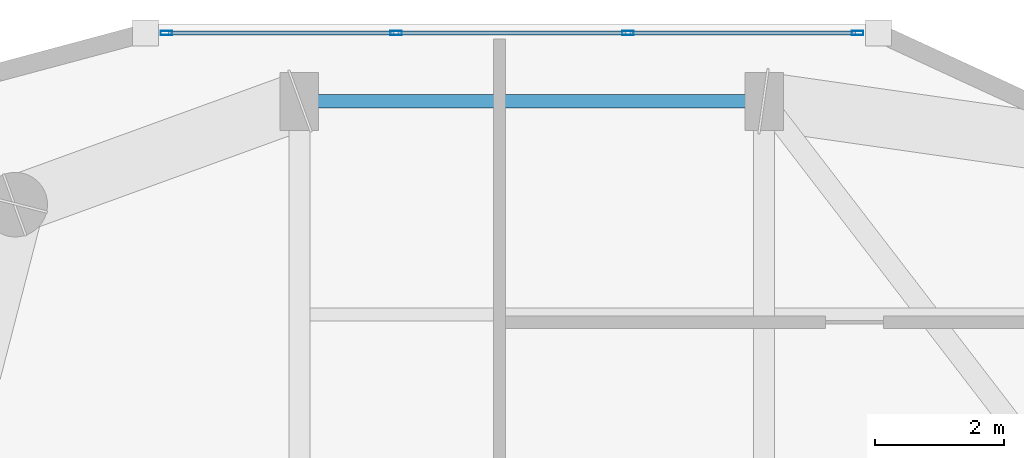
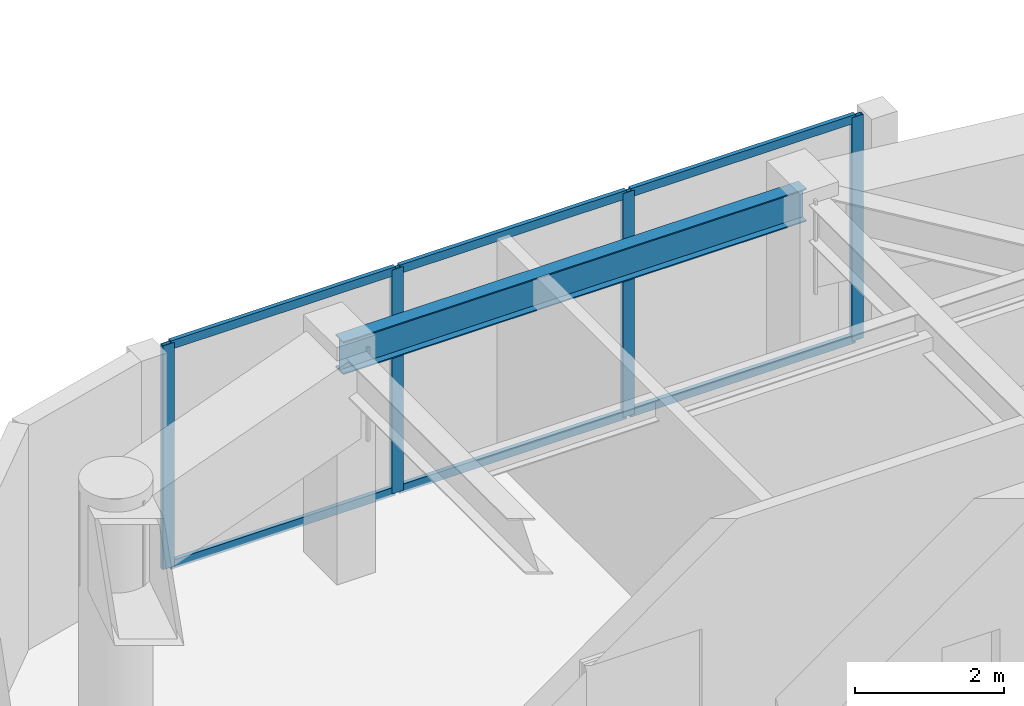
# One storey, part 6 of 16: 10 members, 1 beam, 1 element without a shape of its own.
"""IFC4 building model written with IfcOpenShell, lengths in metres."""

from ifc_helpers import new_model, si_unit, direction, frame, origin, origin_2d, place, context, subcontext, project, spatial, hollow_rectangle, i_section, extrude, material, layer, layer_set, material_profile, profile_set, type_object, element, aggregate, save


model = new_model("IFC4")

# Units and contexts
model_context = context("Model", 3, precision=1e-05, world=origin(), true_north=direction((0.0, 1.0)))
body_context = subcontext(model_context, "Body", "Model", "MODEL_VIEW")
ifc_project = project(units=[si_unit("LENGTHUNIT", "METRE"), si_unit("AREAUNIT", "SQUARE_METRE"), si_unit("VOLUMEUNIT", "CUBIC_METRE"), si_unit("PLANEANGLEUNIT", "RADIAN"), si_unit("MASSUNIT", "GRAM", prefix="KILO")], contexts=[model_context])

# Site, building, storey
site_placement = place(None, origin())
site = spatial("IfcSite", under=ifc_project, at=site_placement, CompositionType="ELEMENT")
building_placement = place(site_placement, origin())
building = spatial("IfcBuilding", under=site, at=building_placement, Name="Kiyonajd Concourse Tower", CompositionType="ELEMENT")
storey_placement = place(building_placement, frame((0.0, 0.0, 325.800048828125)))
storey = spatial("IfcBuildingStorey", under=building, at=storey_placement, Name="L82", CompositionType="ELEMENT", Elevation=325.800048828125)

# Beam
ifc_material_1 = material(Name="Steel ASTM A992 Grade 50", Category="steel")
ifc_material_profile_1 = material_profile(ifc_material_1, i_section(OverallWidth=0.2109375, OverallDepth=0.5390625, WebThickness=0.01171875, FlangeThickness=0.018798828125, at=origin_2d()), Name="W530X109")
ifc_profile_set_1 = profile_set([ifc_material_profile_1], Name="Steel ASTM A992 Grade 50")
beam_type = type_object("IfcBeamType", Name="BM-SPAN-530B", PredefinedType="SPANDREL", material=ifc_profile_set_1)
beam_placement = place(storey_placement, frame((39.60009765625, 52.199951171875, 3.410400390625), z_axis=(-1.0, 0.0, 0.0), x_axis=(0.0, -1.0, 0.0)))
element("IfcBeam", 1, at=beam_placement, inside=storey, type_object=beam_type, Name="L82 Perimeter Bundled Tube Spandrel", PredefinedType="SPANDREL", context=body_context, shape_type="SweptSolid", body=[
    extrude(i_section(OverallWidth=0.2109375, OverallDepth=0.5390625, WebThickness=0.01171875, FlangeThickness=0.018798828125, at=origin_2d()), origin(), (0.0, 0.0, 1.0), 7.2001953125),
])

# Curtain wall, members
ifc_material_2 = material(Name="Thermally Broken Anodised Aluminium", Category="aluminium")
ifc_layer = layer(ifc_material_2, 0.179931640625)
ifc_layer_set = layer_set([ifc_layer], Name="Thermally Broken Anodised Aluminium")
curtain_wall_type = type_object("IfcCurtainWallType", Name="CW-SYS-04", PredefinedType="NOTDEFINED", material=ifc_layer_set)
curtain_wall_placement = place(storey_placement, origin())
curtain_wall = element("IfcCurtainWall", 2, at=curtain_wall_placement, inside=storey, type_object=curtain_wall_type, Name="L82 Unitised Curtain Wall CW4", PredefinedType="NOTDEFINED")
ifc_material_profile_2 = material_profile(ifc_material_2, hollow_rectangle(XDim=0.06494140625, YDim=0.179931640625, WallThickness=0.00390625, at=origin_2d()), Name="MULL-65x180")
ifc_profile_set_2 = profile_set([ifc_material_profile_2], Name="Thermally Broken Anodised Aluminium")
member_type_1 = type_object("IfcMemberType", Name="MB-CW-MULL1", PredefinedType="MULLION", material=ifc_profile_set_2)
member_1_placement = place(storey_placement, frame((30.3408203125, 53.260009765625, 0.0), z_axis=(0.0, 0.0, 1.0), x_axis=(0.0, 1.0, 0.0)))
member_1 = element("IfcMember", 3, at=member_1_placement, type_object=member_type_1, Name="CW4 mullion 1", PredefinedType="MULLION", context=body_context, shape_type="SweptSolid", body=[
    extrude(hollow_rectangle(XDim=0.06494140625, YDim=0.179931640625, WallThickness=0.00390625, at=origin_2d()), origin(), (0.0, 0.0, 1.0), 3.679931640625),
])
member_2_placement = place(storey_placement, frame((33.898681640625, 53.260009765625, 0.0), z_axis=(0.0, 0.0, 1.0), x_axis=(0.0, 1.0, 0.0)))
member_2 = element("IfcMember", 4, at=member_2_placement, type_object=member_type_1, Name="CW4 mullion 2", PredefinedType="MULLION", context=body_context, shape_type="SweptSolid", body=[
    extrude(hollow_rectangle(XDim=0.06494140625, YDim=0.179931640625, WallThickness=0.00390625, at=origin_2d()), origin(), (0.0, 0.0, 1.0), 3.679931640625),
])
member_3_placement = place(storey_placement, frame((37.489013671875, 53.260009765625, 0.0), z_axis=(0.0, 0.0, 1.0), x_axis=(0.0, 1.0, 0.0)))
member_3 = element("IfcMember", 5, at=member_3_placement, type_object=member_type_1, Name="CW4 mullion 3", PredefinedType="MULLION", context=body_context, shape_type="SweptSolid", body=[
    extrude(hollow_rectangle(XDim=0.06494140625, YDim=0.179931640625, WallThickness=0.00390625, at=origin_2d()), origin(), (0.0, 0.0, 1.0), 3.679931640625),
])
member_4_placement = place(storey_placement, frame((41.046875, 53.260009765625, 0.0), z_axis=(0.0, 0.0, 1.0), x_axis=(0.0, 1.0, 0.0)))
member_4 = element("IfcMember", 6, at=member_4_placement, type_object=member_type_1, Name="CW4 mullion 4", PredefinedType="MULLION", context=body_context, shape_type="SweptSolid", body=[
    extrude(hollow_rectangle(XDim=0.06494140625, YDim=0.179931640625, WallThickness=0.00390625, at=origin_2d()), origin(), (0.0, 0.0, 1.0), 3.679931640625),
])
ifc_material_profile_3 = material_profile(ifc_material_2, hollow_rectangle(XDim=0.06494140625, YDim=0.139892578125, WallThickness=0.00390625, at=origin_2d()), Name="TRAN-65x140")
ifc_profile_set_3 = profile_set([ifc_material_profile_3], Name="Thermally Broken Anodised Aluminium")
member_type_2 = type_object("IfcMemberType", Name="MB-CW-TRAN1", PredefinedType="USERDEFINED", material=ifc_profile_set_3)
member_5_placement = place(storey_placement, frame((30.373291015625, 53.260009765625, 0.032470703125), z_axis=(1.0, 0.0, 0.0), x_axis=(0.0, 1.0, 0.0)))
member_5 = element("IfcMember", 7, at=member_5_placement, type_object=member_type_2, Name="CW4 transom 1.1", ObjectType="TRANSOM", PredefinedType="USERDEFINED", context=body_context, shape_type="SweptSolid", body=[
    extrude(hollow_rectangle(XDim=0.06494140625, YDim=0.139892578125, WallThickness=0.00390625, at=origin_2d()), origin(), (0.0, 0.0, 1.0), 3.492919921875),
])
member_6_placement = place(storey_placement, frame((30.373291015625, 53.260009765625, 3.6474609375), z_axis=(1.0, 0.0, 0.0), x_axis=(0.0, 1.0, 0.0)))
member_6 = element("IfcMember", 8, at=member_6_placement, type_object=member_type_2, Name="CW4 transom 1.2", ObjectType="TRANSOM", PredefinedType="USERDEFINED", context=body_context, shape_type="SweptSolid", body=[
    extrude(hollow_rectangle(XDim=0.06494140625, YDim=0.139892578125, WallThickness=0.00390625, at=origin_2d()), origin(), (0.0, 0.0, 1.0), 3.492919921875),
])
member_7_placement = place(storey_placement, frame((33.93115234375, 53.260009765625, 0.032470703125), z_axis=(1.0, 0.0, 0.0), x_axis=(0.0, 1.0, 0.0)))
member_7 = element("IfcMember", 9, at=member_7_placement, type_object=member_type_2, Name="CW4 transom 2.1", ObjectType="TRANSOM", PredefinedType="USERDEFINED", context=body_context, shape_type="SweptSolid", body=[
    extrude(hollow_rectangle(XDim=0.06494140625, YDim=0.139892578125, WallThickness=0.00390625, at=origin_2d()), origin(), (0.0, 0.0, 1.0), 3.525390625),
])
member_8_placement = place(storey_placement, frame((33.93115234375, 53.260009765625, 3.6474609375), z_axis=(1.0, 0.0, 0.0), x_axis=(0.0, 1.0, 0.0)))
member_8 = element("IfcMember", 10, at=member_8_placement, type_object=member_type_2, Name="CW4 transom 2.2", ObjectType="TRANSOM", PredefinedType="USERDEFINED", context=body_context, shape_type="SweptSolid", body=[
    extrude(hollow_rectangle(XDim=0.06494140625, YDim=0.139892578125, WallThickness=0.00390625, at=origin_2d()), origin(), (0.0, 0.0, 1.0), 3.525390625),
])
member_9_placement = place(storey_placement, frame((37.521484375, 53.260009765625, 0.032470703125), z_axis=(1.0, 0.0, 0.0), x_axis=(0.0, 1.0, 0.0)))
member_9 = element("IfcMember", 11, at=member_9_placement, type_object=member_type_2, Name="CW4 transom 3.1", ObjectType="TRANSOM", PredefinedType="USERDEFINED", context=body_context, shape_type="SweptSolid", body=[
    extrude(hollow_rectangle(XDim=0.06494140625, YDim=0.139892578125, WallThickness=0.00390625, at=origin_2d()), origin(), (0.0, 0.0, 1.0), 3.492919921875),
])
member_10_placement = place(storey_placement, frame((37.521484375, 53.260009765625, 3.6474609375), z_axis=(1.0, 0.0, 0.0), x_axis=(0.0, 1.0, 0.0)))
member_10 = element("IfcMember", 12, at=member_10_placement, type_object=member_type_2, Name="CW4 transom 3.2", ObjectType="TRANSOM", PredefinedType="USERDEFINED", context=body_context, shape_type="SweptSolid", body=[
    extrude(hollow_rectangle(XDim=0.06494140625, YDim=0.139892578125, WallThickness=0.00390625, at=origin_2d()), origin(), (0.0, 0.0, 1.0), 3.492919921875),
])
aggregate(curtain_wall, [member_1, member_2, member_3, member_4, member_5, member_6, member_7, member_8, member_9, member_10])

save(model, "model.ifc")
